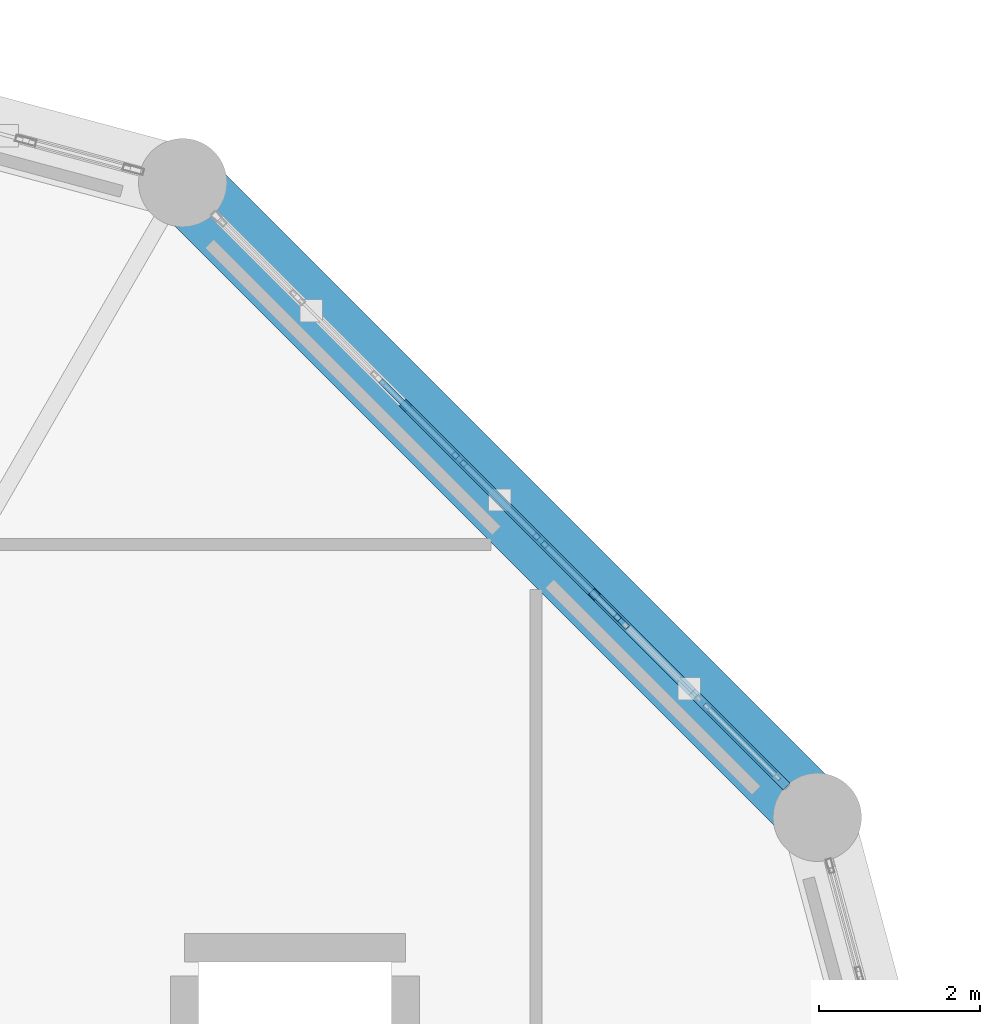
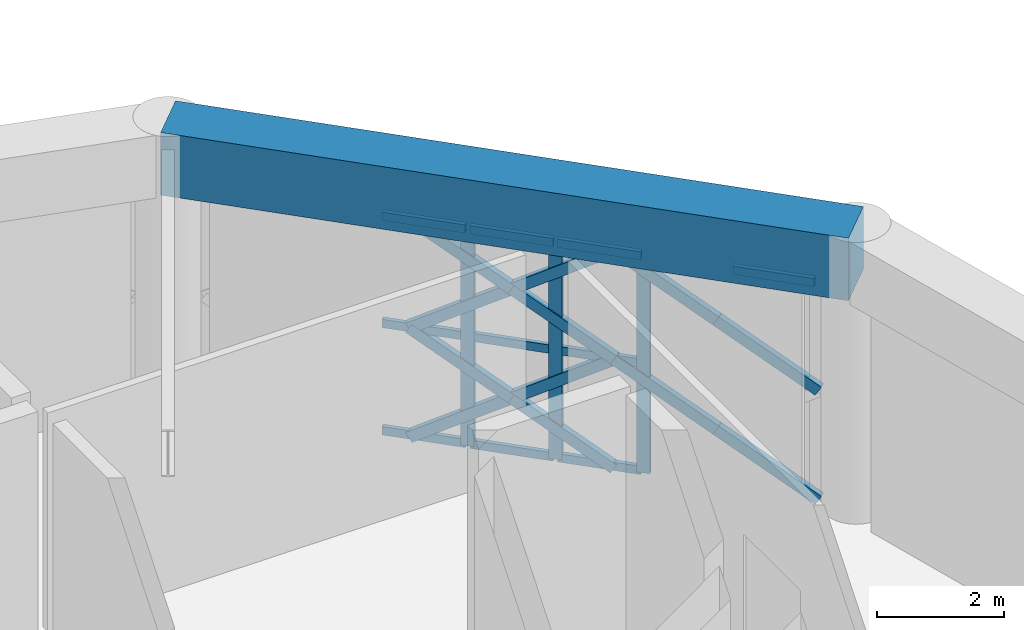
# One storey, part 33 of 72: 23 members, 1 beam, 1 element without a shape of its own.
"""IFC4 building model written with IfcOpenShell, lengths in metres."""

from ifc_helpers import new_model, si_unit, direction, frame, origin, origin_2d, place, context, subcontext, project, spatial, rectangle, hollow_rectangle, extrude, material, material_profile, profile_set, type_object, element, aggregate, save


model = new_model("IFC4")

# Units and contexts
model_context = context("Model", 3, precision=1e-05, world=origin(), true_north=direction((0.0, 1.0)))
body_context = subcontext(model_context, "Body", "Model", "MODEL_VIEW")
ifc_project = project(units=[si_unit("LENGTHUNIT", "METRE"), si_unit("AREAUNIT", "SQUARE_METRE"), si_unit("VOLUMEUNIT", "CUBIC_METRE"), si_unit("PLANEANGLEUNIT", "RADIAN"), si_unit("MASSUNIT", "GRAM", prefix="KILO")], contexts=[model_context])

# Site, building, storey
site_placement = place(None, origin())
site = spatial("IfcSite", under=ifc_project, at=site_placement, CompositionType="ELEMENT")
building_placement = place(site_placement, origin())
building = spatial("IfcBuilding", under=site, at=building_placement, Name="Haizhuo Lancet Aquarium", CompositionType="ELEMENT")
storey_placement = place(building_placement, frame((0.0, 0.0, 21.60009765625)))
storey = spatial("IfcBuildingStorey", under=building, at=storey_placement, Name="L04", CompositionType="ELEMENT", Elevation=21.60009765625)

# Beam
ifc_material_1 = material(Name="Concrete C50/60", Category="concrete")
ifc_material_profile_1 = material_profile(ifc_material_1, rectangle(XDim=0.89990234375, YDim=1.199951171875, at=origin_2d()), Name="RC-RB 900x1200")
ifc_profile_set_1 = profile_set([ifc_material_profile_1], Name="Concrete C50/60")
beam_type = type_object("IfcBeamType", Name="BM-RB-900x1200", PredefinedType="USERDEFINED", material=ifc_profile_set_1)
beam_placement = place(storey_placement, frame((18.7060546875, 10.800048828125, 4.7998046875), z_axis=(-0.707106781187, 0.707106781187, 0.0), x_axis=(-0.707106781187, -0.707106781187, 0.0)))
element("IfcBeam", 1, at=beam_placement, inside=storey, type_object=beam_type, Name="Ocean Hall dome tension ring beam RB-1 seg 2", ObjectType="RING BEAM", PredefinedType="USERDEFINED", context=body_context, shape_type="SweptSolid", body=[
    extrude(rectangle(XDim=0.89990234375, YDim=1.199951171875, at=origin_2d()), origin(), (0.0, 0.0, 1.0), 11.1806640625),
])

# Curtain wall, members
ifc_material_2 = material(Name="Aluminium 6063-T6", Category="aluminium")
curtain_wall_type = type_object("IfcCurtainWallType", Name="CWO-9990x4180", PredefinedType="NOTDEFINED", material=ifc_material_2)
curtain_wall_placement = place(storey_placement, origin())
curtain_wall = element("IfcCurtainWall", 2, at=curtain_wall_placement, inside=storey, type_object=curtain_wall_type, Name="L04 curtain wall CW-V1-L04-02", PredefinedType="NOTDEFINED")
ifc_material_profile_2 = material_profile(ifc_material_2, hollow_rectangle(XDim=0.074951171875, YDim=0.219970703125, WallThickness=0.0048828125, at=origin_2d()), Name="ALU-M 75x220x5")
ifc_profile_set_2 = profile_set([ifc_material_profile_2], Name="Aluminium 6063-T6")
member_type_1 = type_object("IfcMemberType", Name="CW-MUL-2", PredefinedType="MULLION", material=ifc_profile_set_2)
member_1_placement = place(storey_placement, frame((14.248046875, 15.258056640625, 0.0), z_axis=(0.0, 0.0, 1.0), x_axis=(0.707106781187, 0.707106781187, 0.0)))
member_1 = element("IfcMember", 3, at=member_1_placement, type_object=member_type_1, Name="CWO-99x41 mullion 4", PredefinedType="MULLION", context=body_context, shape_type="SweptSolid", body=[
    extrude(hollow_rectangle(XDim=0.074951171875, YDim=0.219970703125, WallThickness=0.0048828125, at=origin_2d()), origin(), (0.0, 0.0, 1.0), 4.184814453125),
])
member_2_placement = place(storey_placement, frame((15.258056640625, 14.248046875, 0.0), z_axis=(0.0, 0.0, 1.0), x_axis=(0.707106781187, 0.707106781187, 0.0)))
member_2 = element("IfcMember", 4, at=member_2_placement, type_object=member_type_1, Name="CWO-99x41 mullion 5", PredefinedType="MULLION", context=body_context, shape_type="SweptSolid", body=[
    extrude(hollow_rectangle(XDim=0.074951171875, YDim=0.219970703125, WallThickness=0.0048828125, at=origin_2d()), origin(), (0.0, 0.0, 1.0), 4.184814453125),
])
member_3_placement = place(storey_placement, frame((16.26708984375, 13.239013671875, 0.0), z_axis=(0.0, 0.0, 1.0), x_axis=(0.707106781187, 0.707106781187, 0.0)))
member_3 = element("IfcMember", 5, at=member_3_placement, type_object=member_type_1, Name="CWO-99x41 mullion 6", PredefinedType="MULLION", context=body_context, shape_type="SweptSolid", body=[
    extrude(hollow_rectangle(XDim=0.074951171875, YDim=0.219970703125, WallThickness=0.0048828125, at=origin_2d()), origin(), (0.0, 0.0, 1.0), 4.184814453125),
])
ifc_material_profile_3 = material_profile(ifc_material_2, hollow_rectangle(XDim=0.074951171875, YDim=0.159912109375, WallThickness=0.00390625, at=origin_2d()), Name="ALU-T 75x160x4")
ifc_profile_set_3 = profile_set([ifc_material_profile_3], Name="Aluminium 6063-T6")
member_type_2 = type_object("IfcMemberType", Name="CW-TRN-2", PredefinedType="NOTDEFINED", material=ifc_profile_set_3)
member_4_placement = place(storey_placement, frame((13.26611328125, 16.239990234375, 0.037841796875), z_axis=(0.707016479575, -0.707197071268, 0.0), x_axis=(0.707197071268, 0.707016479575, 0.0)))
member_4 = element("IfcMember", 6, at=member_4_placement, type_object=member_type_2, Name="CWO-99x41 transom 3.1", ObjectType="TRANSOM", PredefinedType="USERDEFINED", context=body_context, shape_type="SweptSolid", body=[
    extrude(hollow_rectangle(XDim=0.074951171875, YDim=0.159912109375, WallThickness=0.00390625, at=origin_2d()), origin(), (0.0, 0.0, 1.0), 1.351806640625),
])
member_5_placement = place(storey_placement, frame((13.26611328125, 16.239990234375, 2.093017578125), z_axis=(0.707016479575, -0.707197071268, 0.0), x_axis=(0.707197071268, 0.707016479575, 0.0)))
member_5 = element("IfcMember", 7, at=member_5_placement, type_object=member_type_2, Name="CWO-99x41 transom 3.2", ObjectType="TRANSOM", PredefinedType="USERDEFINED", context=body_context, shape_type="SweptSolid", body=[
    extrude(hollow_rectangle(XDim=0.074951171875, YDim=0.159912109375, WallThickness=0.00390625, at=origin_2d()), origin(), (0.0, 0.0, 1.0), 1.351806640625),
])
member_6_placement = place(storey_placement, frame((13.26611328125, 16.239990234375, 4.14697265625), z_axis=(0.707016479575, -0.707197071268, 0.0), x_axis=(0.707197071268, 0.707016479575, 0.0)))
member_6 = element("IfcMember", 8, at=member_6_placement, type_object=member_type_2, Name="CWO-99x41 transom 3.3", ObjectType="TRANSOM", PredefinedType="USERDEFINED", context=body_context, shape_type="SweptSolid", body=[
    extrude(hollow_rectangle(XDim=0.074951171875, YDim=0.159912109375, WallThickness=0.00390625, at=origin_2d()), origin(), (0.0, 0.0, 1.0), 1.351806640625),
])
member_7_placement = place(storey_placement, frame((14.27490234375, 15.23095703125, 0.037841796875), z_axis=(0.707106781187, -0.707106781187, 0.0), x_axis=(0.707106781187, 0.707106781187, 0.0)))
member_7 = element("IfcMember", 9, at=member_7_placement, type_object=member_type_2, Name="CWO-99x41 transom 4.1", ObjectType="TRANSOM", PredefinedType="USERDEFINED", context=body_context, shape_type="SweptSolid", body=[
    extrude(hollow_rectangle(XDim=0.074951171875, YDim=0.159912109375, WallThickness=0.00390625, at=origin_2d()), origin(), (0.0, 0.0, 1.0), 1.35205078125),
])
member_8_placement = place(storey_placement, frame((14.27490234375, 15.23095703125, 2.093017578125), z_axis=(0.707106781187, -0.707106781187, 0.0), x_axis=(0.707106781187, 0.707106781187, 0.0)))
member_8 = element("IfcMember", 10, at=member_8_placement, type_object=member_type_2, Name="CWO-99x41 transom 4.2", ObjectType="TRANSOM", PredefinedType="USERDEFINED", context=body_context, shape_type="SweptSolid", body=[
    extrude(hollow_rectangle(XDim=0.074951171875, YDim=0.159912109375, WallThickness=0.00390625, at=origin_2d()), origin(), (0.0, 0.0, 1.0), 1.35205078125),
])
member_9_placement = place(storey_placement, frame((14.27490234375, 15.23095703125, 4.14697265625), z_axis=(0.707106781187, -0.707106781187, 0.0), x_axis=(0.707106781187, 0.707106781187, 0.0)))
member_9 = element("IfcMember", 11, at=member_9_placement, type_object=member_type_2, Name="CWO-99x41 transom 4.3", ObjectType="TRANSOM", PredefinedType="USERDEFINED", context=body_context, shape_type="SweptSolid", body=[
    extrude(hollow_rectangle(XDim=0.074951171875, YDim=0.159912109375, WallThickness=0.00390625, at=origin_2d()), origin(), (0.0, 0.0, 1.0), 1.35205078125),
])
member_10_placement = place(storey_placement, frame((15.283935546875, 14.221923828125, 0.037841796875), z_axis=(0.707197071268, -0.707016479575, 0.0), x_axis=(0.707016479575, 0.707197071268, 0.0)))
member_10 = element("IfcMember", 12, at=member_10_placement, type_object=member_type_2, Name="CWO-99x41 transom 5.1", ObjectType="TRANSOM", PredefinedType="USERDEFINED", context=body_context, shape_type="SweptSolid", body=[
    extrude(hollow_rectangle(XDim=0.074951171875, YDim=0.159912109375, WallThickness=0.00390625, at=origin_2d()), origin(), (0.0, 0.0, 1.0), 1.351806640625),
])
member_11_placement = place(storey_placement, frame((15.283935546875, 14.221923828125, 2.093017578125), z_axis=(0.707197071268, -0.707016479575, 0.0), x_axis=(0.707016479575, 0.707197071268, 0.0)))
member_11 = element("IfcMember", 13, at=member_11_placement, type_object=member_type_2, Name="CWO-99x41 transom 5.2", ObjectType="TRANSOM", PredefinedType="USERDEFINED", context=body_context, shape_type="SweptSolid", body=[
    extrude(hollow_rectangle(XDim=0.074951171875, YDim=0.159912109375, WallThickness=0.00390625, at=origin_2d()), origin(), (0.0, 0.0, 1.0), 1.351806640625),
])
member_12_placement = place(storey_placement, frame((15.283935546875, 14.221923828125, 4.14697265625), z_axis=(0.707197071268, -0.707016479575, 0.0), x_axis=(0.707016479575, 0.707197071268, 0.0)))
member_12 = element("IfcMember", 14, at=member_12_placement, type_object=member_type_2, Name="CWO-99x41 transom 5.3", ObjectType="TRANSOM", PredefinedType="USERDEFINED", context=body_context, shape_type="SweptSolid", body=[
    extrude(hollow_rectangle(XDim=0.074951171875, YDim=0.159912109375, WallThickness=0.00390625, at=origin_2d()), origin(), (0.0, 0.0, 1.0), 1.351806640625),
])
member_13_placement = place(storey_placement, frame((17.302001953125, 12.2041015625, 4.14697265625), z_axis=(0.707013966752, -0.70719958344, 0.0), x_axis=(0.70719958344, 0.707013966752, 0.0)))
member_13 = element("IfcMember", 15, at=member_13_placement, type_object=member_type_2, Name="CWO-99x41 transom 7.3", ObjectType="TRANSOM", PredefinedType="USERDEFINED", context=body_context, shape_type="SweptSolid", body=[
    extrude(hollow_rectangle(XDim=0.074951171875, YDim=0.159912109375, WallThickness=0.00390625, at=origin_2d()), origin(), (0.0, 0.0, 1.0), 1.315185546875),
])
aggregate(curtain_wall, [member_1, member_2, member_3, member_4, member_5, member_6, member_7, member_8, member_9, member_10, member_11, member_12, member_13])

# Members
ifc_material_3 = material(Name="Steel S355", Category="steel")
ifc_material_profile_4 = material_profile(ifc_material_3, hollow_rectangle(XDim=0.1201171875, YDim=0.199951171875, WallThickness=0.008056640625, at=origin_2d()), Name="RHS 120x200x8")
ifc_profile_set_4 = profile_set([ifc_material_profile_4], Name="Steel S355")
member_type_3 = type_object("IfcMemberType", Name="MEM-LB-RHS120x200", PredefinedType="BRACE", material=ifc_profile_set_4)
member_14_placement = place(storey_placement, frame((13.575927734375, 15.929931640625, 0.0), z_axis=(0.598624938424, -0.598624938424, 0.532255921708), x_axis=(0.707106781187, 0.707106781187, 0.0)))
element("IfcMember", 16, at=member_14_placement, inside=storey, type_object=member_type_3, Name="Gothic lancet continuous diagonal brace CW-V1-L04-02 3A", PredefinedType="BRACE", context=body_context, shape_type="SweptSolid", body=[
    extrude(hollow_rectangle(XDim=0.1201171875, YDim=0.199951171875, WallThickness=0.008056640625, at=origin_2d()), origin(), (0.0, 0.0, 1.0), 3.932373046875),
])
member_15_placement = place(storey_placement, frame((15.929931640625, 13.575927734375, 0.0), z_axis=(-0.598565591853, 0.598565591853, 0.532389391799), x_axis=(-0.707106781187, -0.707106781187, 0.0)))
element("IfcMember", 17, at=member_15_placement, inside=storey, type_object=member_type_3, Name="Gothic lancet split diagonal brace CW-V1-L04-02 3B1", PredefinedType="BRACE", context=body_context, shape_type="SweptSolid", body=[
    extrude(hollow_rectangle(XDim=0.1201171875, YDim=0.199951171875, WallThickness=0.008056640625, at=origin_2d()), origin(), (0.0, 0.0, 1.0), 1.96630859375),
])
member_16_placement = place(storey_placement, frame((14.7529296875, 14.7529296875, 1.046875), z_axis=(-0.598684281878, 0.598684281878, 0.532122411916), x_axis=(-0.707106781187, -0.707106781187, 0.0)))
element("IfcMember", 18, at=member_16_placement, inside=storey, type_object=member_type_3, Name="Gothic lancet split diagonal brace CW-V1-L04-02 3B2", PredefinedType="BRACE", context=body_context, shape_type="SweptSolid", body=[
    extrude(hollow_rectangle(XDim=0.1201171875, YDim=0.199951171875, WallThickness=0.008056640625, at=origin_2d()), origin(), (0.0, 0.0, 1.0), 1.966064453125),
])
member_17_placement = place(storey_placement, frame((13.575927734375, 15.929931640625, 2.093017578125), z_axis=(0.598723842444, -0.598723842444, 0.53203338333), x_axis=(0.707106781187, 0.707106781187, 0.0)))
element("IfcMember", 19, at=member_17_placement, inside=storey, type_object=member_type_3, Name="Gothic lancet continuous diagonal brace CW-V1-L04-02 4A", PredefinedType="BRACE", context=body_context, shape_type="SweptSolid", body=[
    extrude(hollow_rectangle(XDim=0.1201171875, YDim=0.199951171875, WallThickness=0.008056640625, at=origin_2d()), origin(), (0.0, 0.0, 1.0), 3.931640625),
])
for number, where, z_axis, x_axis, name in (
    (20, (15.929931640625, 13.575927734375, 2.093017578125), (-0.598723842444, 0.598723842444, 0.53203338333), (-0.707106781187, -0.707106781187, 0.0), "Gothic lancet split diagonal brace CW-V1-L04-02 4B1"),
    (21, (14.7529296875, 14.7529296875, 3.138916015625), (-0.598723842444, 0.598723842444, 0.53203338333), (-0.707106781187, -0.707106781187, 0.0), "Gothic lancet split diagonal brace CW-V1-L04-02 4B2"),
):
    element("IfcMember", number, at=place(storey_placement, frame(where, z_axis=z_axis, x_axis=x_axis)), inside=storey, type_object=member_type_3, Name=name, PredefinedType="BRACE", context=body_context, shape_type="SweptSolid", body=[
        extrude(hollow_rectangle(XDim=0.1201171875, YDim=0.199951171875, WallThickness=0.008056640625, at=origin_2d()), origin(), (0.0, 0.0, 1.0), 1.9658203125),
    ])
member_18_placement = place(storey_placement, frame((18.284912109375, 11.220947265625, 0.0), z_axis=(-0.598387663747, 0.598884148015, 0.532231135065), x_axis=(-0.707399943164, -0.706813497615, 0.0)))
element("IfcMember", 22, at=member_18_placement, inside=storey, type_object=member_type_3, Name="Gothic lancet split diagonal brace CW-V1-L04-02 5B1", PredefinedType="BRACE", context=body_context, shape_type="SweptSolid", body=[
    extrude(hollow_rectangle(XDim=0.1201171875, YDim=0.199951171875, WallThickness=0.008056640625, at=origin_2d()), origin(), (0.0, 0.0, 1.0), 1.967041015625),
])
for number, where, z_axis, x_axis, name in (
    (23, (17.10791015625, 12.39892578125, 1.046875), (-0.599002830596, 0.598506247939, 0.531964171835), (-0.706813497615, -0.707399943164, 0.0), "Gothic lancet split diagonal brace CW-V1-L04-02 5B2"),
    (24, (18.284912109375, 11.220947265625, 2.093017578125), (-0.59854577322, 0.599042388672, 0.531875148823), (-0.707399943164, -0.706813497615, 0.0), "Gothic lancet split diagonal brace CW-V1-L04-02 6B1"),
    (25, (17.10791015625, 12.39892578125, 3.138916015625), (-0.599042388672, 0.59854577322, 0.531875148823), (-0.706813497615, -0.707399943164, 0.0), "Gothic lancet split diagonal brace CW-V1-L04-02 6B2"),
):
    element("IfcMember", number, at=place(storey_placement, frame(where, z_axis=z_axis, x_axis=x_axis)), inside=storey, type_object=member_type_3, Name=name, PredefinedType="BRACE", context=body_context, shape_type="SweptSolid", body=[
        extrude(hollow_rectangle(XDim=0.1201171875, YDim=0.199951171875, WallThickness=0.008056640625, at=origin_2d()), origin(), (0.0, 0.0, 1.0), 1.966552734375),
    ])

save(model, "model.ifc")
